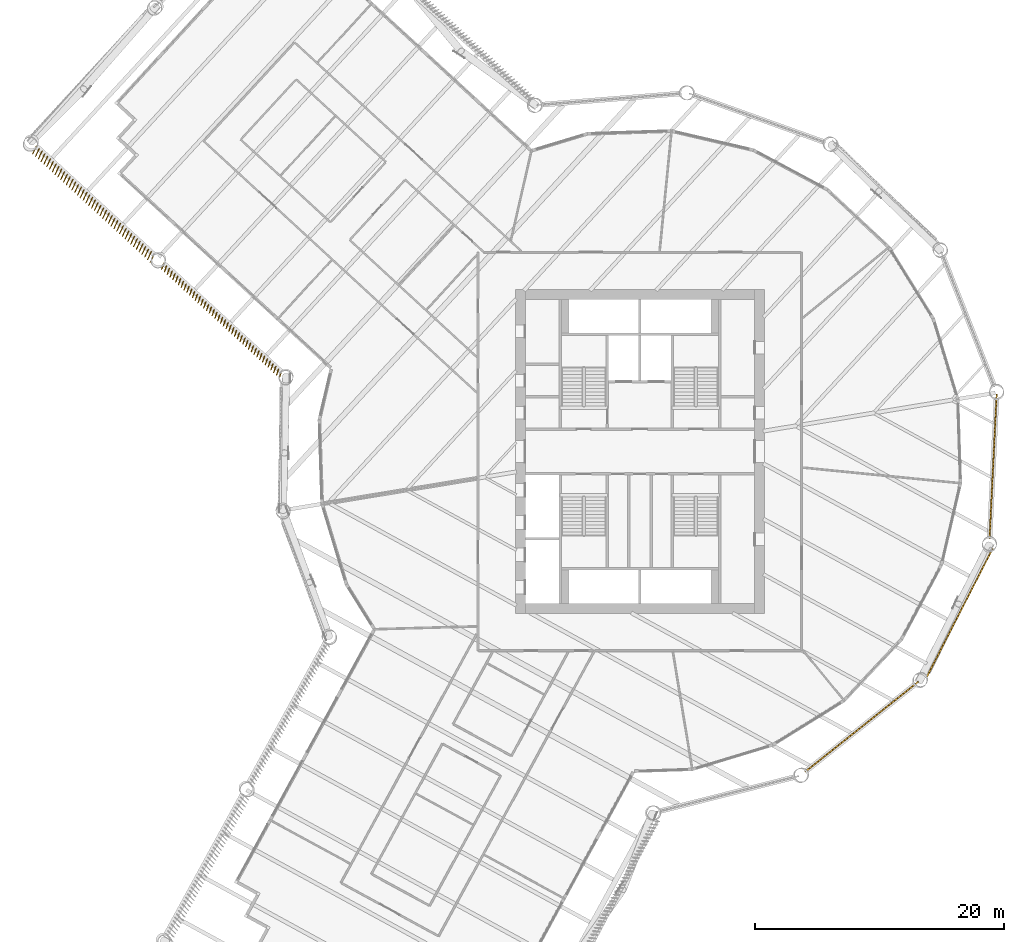
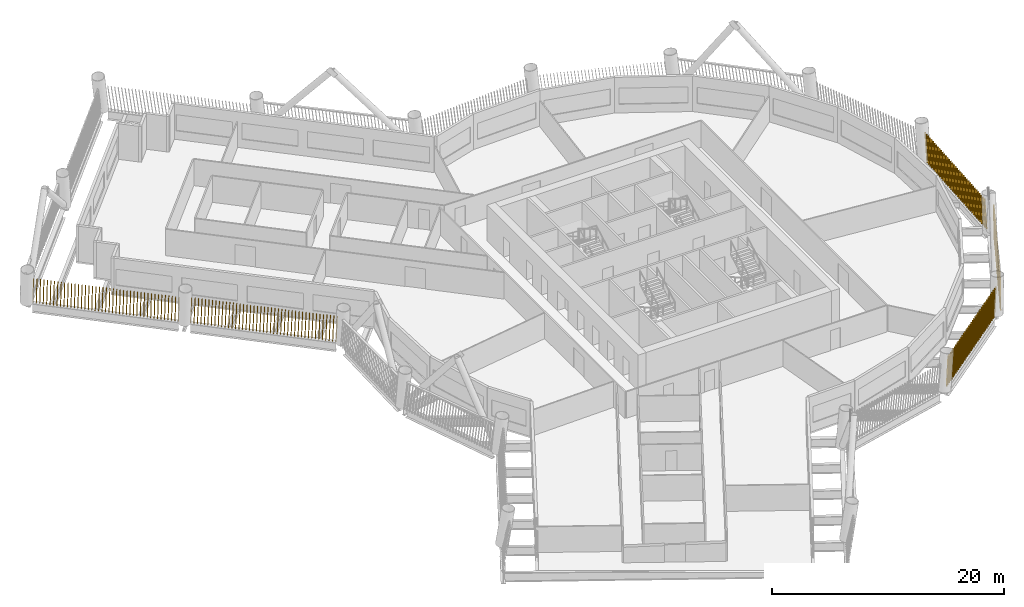
# One storey, part 21 of 24: 5 shading devices.
"""IFC4 building model written with IfcOpenShell, lengths in metres."""

from ifc_helpers import new_model, si_unit, direction, frame, frame_2d, origin, place, context, subcontext, project, spatial, rectangle, composite_profile, extrude, material, type_object, element, save


model = new_model("IFC4")

# Units and contexts
model_context = context("Model", 3, precision=1e-05, world=origin(), true_north=direction((0.0, 1.0)))
body_context = subcontext(model_context, "Body", "Model", "MODEL_VIEW")
ifc_project = project(units=[si_unit("LENGTHUNIT", "METRE"), si_unit("AREAUNIT", "SQUARE_METRE"), si_unit("VOLUMEUNIT", "CUBIC_METRE"), si_unit("PLANEANGLEUNIT", "RADIAN"), si_unit("MASSUNIT", "GRAM", prefix="KILO")], contexts=[model_context])

# Site, building, storey
site_placement = place(None, origin())
site = spatial("IfcSite", under=ifc_project, at=site_placement, CompositionType="ELEMENT")
building_placement = place(site_placement, origin())
building = spatial("IfcBuilding", under=site, at=building_placement, Name="Tarsis Ring Headquarters", CompositionType="ELEMENT")
storey_placement = place(building_placement, frame((0.0, 0.0, 92.800048828125)))
storey = spatial("IfcBuildingStorey", under=building, at=storey_placement, Name="L20", CompositionType="ELEMENT", Elevation=92.800048828125)

# Shading devices
ifc_material = material(Name="Terracotta baguette", Category="masonry")
shading_device_type = type_object("IfcShadingDeviceType", Name="Terracotta baguette screen", PredefinedType="USERDEFINED", material=ifc_material)
shading_device_1_placement = place(storey_placement, frame((13.276611328125, -25.722900390625, 0.0), z_axis=(0.0, 0.0, 1.0), x_axis=(0.782571893652, 0.622550189908, 0.0)))
element("IfcShadingDevice", 1, at=shading_device_1_placement, inside=storey, type_object=shading_device_type, Name="Baguette screen L20-08", ObjectType="Terracotta baguette screen", PredefinedType="USERDEFINED", context=body_context, shape_type="SweptSolid", body=[
    extrude(composite_profile([rectangle(XDim=0.06005859375, YDim=0.1201171875, at=frame_2d((0.030029296875, 0.0))), rectangle(XDim=0.06005859375, YDim=0.1201171875, at=frame_2d((0.33251953125, 0.0))), rectangle(XDim=0.06005859375, YDim=0.1201171875, at=frame_2d((0.634765625, 0.0))), rectangle(XDim=0.06005859375, YDim=0.1201171875, at=frame_2d((0.937255859375, 0.0))), rectangle(XDim=0.06005859375, YDim=0.1201171875, at=frame_2d((1.239501953125, 0.0))), rectangle(XDim=0.06005859375, YDim=0.1201171875, at=frame_2d((1.5419921875, 0.0))), rectangle(XDim=0.06005859375, YDim=0.1201171875, at=frame_2d((1.844482421875, 0.0))), rectangle(XDim=0.06005859375, YDim=0.1201171875, at=frame_2d((2.146728515625, 0.0))), rectangle(XDim=0.06005859375, YDim=0.1201171875, at=frame_2d((2.44921875, 0.0))), rectangle(XDim=0.06005859375, YDim=0.1201171875, at=frame_2d((2.751708984375, 0.0))), rectangle(XDim=0.06005859375, YDim=0.1201171875, at=frame_2d((3.053955078125, 0.0))), rectangle(XDim=0.06005859375, YDim=0.1201171875, at=frame_2d((3.3564453125, 0.0))), rectangle(XDim=0.06005859375, YDim=0.1201171875, at=frame_2d((3.65869140625, 0.0))), rectangle(XDim=0.06005859375, YDim=0.1201171875, at=frame_2d((3.961181640625, 0.0))), rectangle(XDim=0.06005859375, YDim=0.1201171875, at=frame_2d((4.263671875, 0.0))), rectangle(XDim=0.06005859375, YDim=0.1201171875, at=frame_2d((4.56591796875, 0.0))), rectangle(XDim=0.06005859375, YDim=0.1201171875, at=frame_2d((4.868408203125, 0.0))), rectangle(XDim=0.06005859375, YDim=0.1201171875, at=frame_2d((5.1708984375, 0.0))), rectangle(XDim=0.06005859375, YDim=0.1201171875, at=frame_2d((5.47314453125, 0.0))), rectangle(XDim=0.06005859375, YDim=0.1201171875, at=frame_2d((5.775634765625, 0.0))), rectangle(XDim=0.06005859375, YDim=0.1201171875, at=frame_2d((6.077880859375, 0.0))), rectangle(XDim=0.06005859375, YDim=0.1201171875, at=frame_2d((6.38037109375, 0.0))), rectangle(XDim=0.06005859375, YDim=0.1201171875, at=frame_2d((6.682861328125, 0.0))), rectangle(XDim=0.06005859375, YDim=0.1201171875, at=frame_2d((6.985107421875, 0.0))), rectangle(XDim=0.06005859375, YDim=0.1201171875, at=frame_2d((7.28759765625, 0.0))), rectangle(XDim=0.06005859375, YDim=0.1201171875, at=frame_2d((7.590087890625, 0.0))), rectangle(XDim=0.06005859375, YDim=0.1201171875, at=frame_2d((7.892333984375, 0.0))), rectangle(XDim=0.06005859375, YDim=0.1201171875, at=frame_2d((8.19482421875, 0.0))), rectangle(XDim=0.06005859375, YDim=0.1201171875, at=frame_2d((8.4970703125, 0.0))), rectangle(XDim=0.06005859375, YDim=0.1201171875, at=frame_2d((8.799560546875, 0.0))), rectangle(XDim=0.06005859375, YDim=0.1201171875, at=frame_2d((9.10205078125, 0.0))), rectangle(XDim=0.06005859375, YDim=0.1201171875, at=frame_2d((9.404296875, 0.0))), rectangle(XDim=0.06005859375, YDim=0.1201171875, at=frame_2d((9.706787109375, 0.0))), rectangle(XDim=0.06005859375, YDim=0.1201171875, at=frame_2d((10.00927734375, 0.0))), rectangle(XDim=0.06005859375, YDim=0.1201171875, at=frame_2d((10.3115234375, 0.0))), rectangle(XDim=0.06005859375, YDim=0.1201171875, at=frame_2d((10.614013671875, 0.0))), rectangle(XDim=0.06005859375, YDim=0.1201171875, at=frame_2d((10.916259765625, 0.0))), rectangle(XDim=0.06005859375, YDim=0.1201171875, at=frame_2d((11.21875, 0.0)))]), origin(), (0.129809449161, 0.000885532783, 0.991538563416), 2.977783203125),
])
shading_device_2_placement = place(storey_placement, frame((23.03271484375, -18.134765625, 0.0), z_axis=(0.0, 0.0, 1.0), x_axis=(0.456386326641, 0.889788388497, 0.0)))
element("IfcShadingDevice", 2, at=shading_device_2_placement, inside=storey, type_object=shading_device_type, Name="Baguette screen L20-09", ObjectType="Terracotta baguette screen", PredefinedType="USERDEFINED", context=body_context, shape_type="SweptSolid", body=[
    extrude(composite_profile([rectangle(XDim=0.06005859375, YDim=0.1201171875, at=frame_2d((0.030029296875, 0.0))), rectangle(XDim=0.06005859375, YDim=0.1201171875, at=frame_2d((0.33251953125, 0.0))), rectangle(XDim=0.06005859375, YDim=0.1201171875, at=frame_2d((0.634765625, 0.0))), rectangle(XDim=0.06005859375, YDim=0.1201171875, at=frame_2d((0.937255859375, 0.0))), rectangle(XDim=0.06005859375, YDim=0.1201171875, at=frame_2d((1.239501953125, 0.0))), rectangle(XDim=0.06005859375, YDim=0.1201171875, at=frame_2d((1.5419921875, 0.0))), rectangle(XDim=0.06005859375, YDim=0.1201171875, at=frame_2d((1.844482421875, 0.0))), rectangle(XDim=0.06005859375, YDim=0.1201171875, at=frame_2d((2.146728515625, 0.0))), rectangle(XDim=0.06005859375, YDim=0.1201171875, at=frame_2d((2.44921875, 0.0))), rectangle(XDim=0.06005859375, YDim=0.1201171875, at=frame_2d((2.751708984375, 0.0))), rectangle(XDim=0.06005859375, YDim=0.1201171875, at=frame_2d((3.053955078125, 0.0))), rectangle(XDim=0.06005859375, YDim=0.1201171875, at=frame_2d((3.3564453125, 0.0))), rectangle(XDim=0.06005859375, YDim=0.1201171875, at=frame_2d((3.65869140625, 0.0))), rectangle(XDim=0.06005859375, YDim=0.1201171875, at=frame_2d((3.961181640625, 0.0))), rectangle(XDim=0.06005859375, YDim=0.1201171875, at=frame_2d((4.263671875, 0.0))), rectangle(XDim=0.06005859375, YDim=0.1201171875, at=frame_2d((4.56591796875, 0.0))), rectangle(XDim=0.06005859375, YDim=0.1201171875, at=frame_2d((4.868408203125, 0.0))), rectangle(XDim=0.06005859375, YDim=0.1201171875, at=frame_2d((5.1708984375, 0.0))), rectangle(XDim=0.06005859375, YDim=0.1201171875, at=frame_2d((5.47314453125, 0.0))), rectangle(XDim=0.06005859375, YDim=0.1201171875, at=frame_2d((5.775634765625, 0.0))), rectangle(XDim=0.06005859375, YDim=0.1201171875, at=frame_2d((6.077880859375, 0.0))), rectangle(XDim=0.06005859375, YDim=0.1201171875, at=frame_2d((6.38037109375, 0.0))), rectangle(XDim=0.06005859375, YDim=0.1201171875, at=frame_2d((6.682861328125, 0.0))), rectangle(XDim=0.06005859375, YDim=0.1201171875, at=frame_2d((6.985107421875, 0.0))), rectangle(XDim=0.06005859375, YDim=0.1201171875, at=frame_2d((7.28759765625, 0.0))), rectangle(XDim=0.06005859375, YDim=0.1201171875, at=frame_2d((7.590087890625, 0.0))), rectangle(XDim=0.06005859375, YDim=0.1201171875, at=frame_2d((7.892333984375, 0.0))), rectangle(XDim=0.06005859375, YDim=0.1201171875, at=frame_2d((8.19482421875, 0.0))), rectangle(XDim=0.06005859375, YDim=0.1201171875, at=frame_2d((8.4970703125, 0.0))), rectangle(XDim=0.06005859375, YDim=0.1201171875, at=frame_2d((8.799560546875, 0.0))), rectangle(XDim=0.06005859375, YDim=0.1201171875, at=frame_2d((9.10205078125, 0.0))), rectangle(XDim=0.06005859375, YDim=0.1201171875, at=frame_2d((9.404296875, 0.0))), rectangle(XDim=0.06005859375, YDim=0.1201171875, at=frame_2d((9.706787109375, 0.0))), rectangle(XDim=0.06005859375, YDim=0.1201171875, at=frame_2d((10.00927734375, 0.0))), rectangle(XDim=0.06005859375, YDim=0.1201171875, at=frame_2d((10.3115234375, 0.0))), rectangle(XDim=0.06005859375, YDim=0.1201171875, at=frame_2d((10.614013671875, 0.0))), rectangle(XDim=0.06005859375, YDim=0.1201171875, at=frame_2d((10.916259765625, 0.0))), rectangle(XDim=0.06005859375, YDim=0.1201171875, at=frame_2d((11.21875, 0.0)))]), origin(), (0.13149563743, 0.000895817012, 0.991316344488), 2.978515625),
])
shading_device_3_placement = place(storey_placement, frame((28.08544921875, -7.01025390625, 0.0), z_axis=(0.0, 0.0, 1.0), x_axis=(0.049051525806, 0.998806268177, 0.0)))
element("IfcShadingDevice", 3, at=shading_device_3_placement, inside=storey, type_object=shading_device_type, Name="Baguette screen L20-10", ObjectType="Terracotta baguette screen", PredefinedType="USERDEFINED", context=body_context, shape_type="SweptSolid", body=[
    extrude(composite_profile([rectangle(XDim=0.06005859375, YDim=0.1201171875, at=frame_2d((0.030029296875, 0.0))), rectangle(XDim=0.06005859375, YDim=0.1201171875, at=frame_2d((0.33251953125, 0.0))), rectangle(XDim=0.06005859375, YDim=0.1201171875, at=frame_2d((0.634765625, 0.0))), rectangle(XDim=0.06005859375, YDim=0.1201171875, at=frame_2d((0.937255859375, 0.0))), rectangle(XDim=0.06005859375, YDim=0.1201171875, at=frame_2d((1.239501953125, 0.0))), rectangle(XDim=0.06005859375, YDim=0.1201171875, at=frame_2d((1.5419921875, 0.0))), rectangle(XDim=0.06005859375, YDim=0.1201171875, at=frame_2d((1.844482421875, 0.0))), rectangle(XDim=0.06005859375, YDim=0.1201171875, at=frame_2d((2.146728515625, 0.0))), rectangle(XDim=0.06005859375, YDim=0.1201171875, at=frame_2d((2.44921875, 0.0))), rectangle(XDim=0.06005859375, YDim=0.1201171875, at=frame_2d((2.751708984375, 0.0))), rectangle(XDim=0.06005859375, YDim=0.1201171875, at=frame_2d((3.053955078125, 0.0))), rectangle(XDim=0.06005859375, YDim=0.1201171875, at=frame_2d((3.3564453125, 0.0))), rectangle(XDim=0.06005859375, YDim=0.1201171875, at=frame_2d((3.65869140625, 0.0))), rectangle(XDim=0.06005859375, YDim=0.1201171875, at=frame_2d((3.961181640625, 0.0))), rectangle(XDim=0.06005859375, YDim=0.1201171875, at=frame_2d((4.263671875, 0.0))), rectangle(XDim=0.06005859375, YDim=0.1201171875, at=frame_2d((4.56591796875, 0.0))), rectangle(XDim=0.06005859375, YDim=0.1201171875, at=frame_2d((4.868408203125, 0.0))), rectangle(XDim=0.06005859375, YDim=0.1201171875, at=frame_2d((5.1708984375, 0.0))), rectangle(XDim=0.06005859375, YDim=0.1201171875, at=frame_2d((5.47314453125, 0.0))), rectangle(XDim=0.06005859375, YDim=0.1201171875, at=frame_2d((5.775634765625, 0.0))), rectangle(XDim=0.06005859375, YDim=0.1201171875, at=frame_2d((6.077880859375, 0.0))), rectangle(XDim=0.06005859375, YDim=0.1201171875, at=frame_2d((6.38037109375, 0.0))), rectangle(XDim=0.06005859375, YDim=0.1201171875, at=frame_2d((6.682861328125, 0.0))), rectangle(XDim=0.06005859375, YDim=0.1201171875, at=frame_2d((6.985107421875, 0.0))), rectangle(XDim=0.06005859375, YDim=0.1201171875, at=frame_2d((7.28759765625, 0.0))), rectangle(XDim=0.06005859375, YDim=0.1201171875, at=frame_2d((7.590087890625, 0.0))), rectangle(XDim=0.06005859375, YDim=0.1201171875, at=frame_2d((7.892333984375, 0.0))), rectangle(XDim=0.06005859375, YDim=0.1201171875, at=frame_2d((8.19482421875, 0.0))), rectangle(XDim=0.06005859375, YDim=0.1201171875, at=frame_2d((8.4970703125, 0.0))), rectangle(XDim=0.06005859375, YDim=0.1201171875, at=frame_2d((8.799560546875, 0.0))), rectangle(XDim=0.06005859375, YDim=0.1201171875, at=frame_2d((9.10205078125, 0.0))), rectangle(XDim=0.06005859375, YDim=0.1201171875, at=frame_2d((9.404296875, 0.0))), rectangle(XDim=0.06005859375, YDim=0.1201171875, at=frame_2d((9.706787109375, 0.0))), rectangle(XDim=0.06005859375, YDim=0.1201171875, at=frame_2d((10.00927734375, 0.0))), rectangle(XDim=0.06005859375, YDim=0.1201171875, at=frame_2d((10.3115234375, 0.0))), rectangle(XDim=0.06005859375, YDim=0.1201171875, at=frame_2d((10.614013671875, 0.0))), rectangle(XDim=0.06005859375, YDim=0.1201171875, at=frame_2d((10.916259765625, 0.0))), rectangle(XDim=0.06005859375, YDim=0.1201171875, at=frame_2d((11.21875, 0.0)))]), origin(), (0.129811462866, 0.000884209043, 0.991538300966), 2.977783203125),
])
shading_device_4_placement = place(storey_placement, frame((-48.49853515625, 24.540283203125, 0.0), z_axis=(0.0, 0.0, 1.0), x_axis=(0.73561913412, -0.6773955495, 0.0)))
element("IfcShadingDevice", 4, at=shading_device_4_placement, inside=storey, type_object=shading_device_type, Name="Baguette screen L20-19", ObjectType="Terracotta baguette screen", PredefinedType="USERDEFINED", context=body_context, shape_type="SweptSolid", body=[
    extrude(composite_profile([rectangle(XDim=0.06005859375, YDim=0.1201171875, at=frame_2d((0.030029296875, 0.0))), rectangle(XDim=0.06005859375, YDim=0.1201171875, at=frame_2d((0.335693359375, 0.0))), rectangle(XDim=0.06005859375, YDim=0.1201171875, at=frame_2d((0.6416015625, 0.0))), rectangle(XDim=0.06005859375, YDim=0.1201171875, at=frame_2d((0.947265625, 0.0))), rectangle(XDim=0.06005859375, YDim=0.1201171875, at=frame_2d((1.253173828125, 0.0))), rectangle(XDim=0.06005859375, YDim=0.1201171875, at=frame_2d((1.558837890625, 0.0))), rectangle(XDim=0.06005859375, YDim=0.1201171875, at=frame_2d((1.864501953125, 0.0))), rectangle(XDim=0.06005859375, YDim=0.1201171875, at=frame_2d((2.17041015625, 0.0))), rectangle(XDim=0.06005859375, YDim=0.1201171875, at=frame_2d((2.47607421875, 0.0))), rectangle(XDim=0.06005859375, YDim=0.1201171875, at=frame_2d((2.781982421875, 0.0))), rectangle(XDim=0.06005859375, YDim=0.1201171875, at=frame_2d((3.087646484375, 0.0))), rectangle(XDim=0.06005859375, YDim=0.1201171875, at=frame_2d((3.393310546875, 0.0))), rectangle(XDim=0.06005859375, YDim=0.1201171875, at=frame_2d((3.69921875, 0.0))), rectangle(XDim=0.06005859375, YDim=0.1201171875, at=frame_2d((4.0048828125, 0.0))), rectangle(XDim=0.06005859375, YDim=0.1201171875, at=frame_2d((4.310791015625, 0.0))), rectangle(XDim=0.06005859375, YDim=0.1201171875, at=frame_2d((4.616455078125, 0.0))), rectangle(XDim=0.06005859375, YDim=0.1201171875, at=frame_2d((4.922119140625, 0.0))), rectangle(XDim=0.06005859375, YDim=0.1201171875, at=frame_2d((5.22802734375, 0.0))), rectangle(XDim=0.06005859375, YDim=0.1201171875, at=frame_2d((5.53369140625, 0.0))), rectangle(XDim=0.06005859375, YDim=0.1201171875, at=frame_2d((5.839599609375, 0.0))), rectangle(XDim=0.06005859375, YDim=0.1201171875, at=frame_2d((6.145263671875, 0.0))), rectangle(XDim=0.06005859375, YDim=0.1201171875, at=frame_2d((6.451171875, 0.0))), rectangle(XDim=0.06005859375, YDim=0.1201171875, at=frame_2d((6.7568359375, 0.0))), rectangle(XDim=0.06005859375, YDim=0.1201171875, at=frame_2d((7.0625, 0.0))), rectangle(XDim=0.06005859375, YDim=0.1201171875, at=frame_2d((7.368408203125, 0.0))), rectangle(XDim=0.06005859375, YDim=0.1201171875, at=frame_2d((7.674072265625, 0.0))), rectangle(XDim=0.06005859375, YDim=0.1201171875, at=frame_2d((7.97998046875, 0.0))), rectangle(XDim=0.06005859375, YDim=0.1201171875, at=frame_2d((8.28564453125, 0.0))), rectangle(XDim=0.06005859375, YDim=0.1201171875, at=frame_2d((8.59130859375, 0.0))), rectangle(XDim=0.06005859375, YDim=0.1201171875, at=frame_2d((8.897216796875, 0.0))), rectangle(XDim=0.06005859375, YDim=0.1201171875, at=frame_2d((9.202880859375, 0.0))), rectangle(XDim=0.06005859375, YDim=0.1201171875, at=frame_2d((9.5087890625, 0.0))), rectangle(XDim=0.06005859375, YDim=0.1201171875, at=frame_2d((9.814453125, 0.0))), rectangle(XDim=0.06005859375, YDim=0.1201171875, at=frame_2d((10.1201171875, 0.0))), rectangle(XDim=0.06005859375, YDim=0.1201171875, at=frame_2d((10.426025390625, 0.0))), rectangle(XDim=0.06005859375, YDim=0.1201171875, at=frame_2d((10.731689453125, 0.0))), rectangle(XDim=0.06005859375, YDim=0.1201171875, at=frame_2d((11.03759765625, 0.0))), rectangle(XDim=0.06005859375, YDim=0.1201171875, at=frame_2d((11.34326171875, 0.0))), rectangle(XDim=0.06005859375, YDim=0.1201171875, at=frame_2d((11.64892578125, 0.0))), rectangle(XDim=0.06005859375, YDim=0.1201171875, at=frame_2d((11.954833984375, 0.0))), rectangle(XDim=0.06005859375, YDim=0.1201171875, at=frame_2d((12.260498046875, 0.0))), rectangle(XDim=0.06005859375, YDim=0.1201171875, at=frame_2d((12.56640625, 0.0))), rectangle(XDim=0.06005859375, YDim=0.1201171875, at=frame_2d((12.8720703125, 0.0)))]), origin(), (0.068018191423, -0.205902734099, 0.976205710763), 3.024658203125),
])
shading_device_5_placement = place(storey_placement, frame((-38.271728515625, 15.123046875, 0.0), z_axis=(0.0, 0.0, 1.0), x_axis=(0.73561913412, -0.6773955495, 0.0)))
element("IfcShadingDevice", 5, at=shading_device_5_placement, inside=storey, type_object=shading_device_type, Name="Baguette screen L20-20", ObjectType="Terracotta baguette screen", PredefinedType="USERDEFINED", context=body_context, shape_type="SweptSolid", body=[
    extrude(composite_profile([rectangle(XDim=0.06005859375, YDim=0.1201171875, at=frame_2d((0.030029296875, 0.0))), rectangle(XDim=0.06005859375, YDim=0.1201171875, at=frame_2d((0.335693359375, 0.0))), rectangle(XDim=0.06005859375, YDim=0.1201171875, at=frame_2d((0.6416015625, 0.0))), rectangle(XDim=0.06005859375, YDim=0.1201171875, at=frame_2d((0.947265625, 0.0))), rectangle(XDim=0.06005859375, YDim=0.1201171875, at=frame_2d((1.253173828125, 0.0))), rectangle(XDim=0.06005859375, YDim=0.1201171875, at=frame_2d((1.558837890625, 0.0))), rectangle(XDim=0.06005859375, YDim=0.1201171875, at=frame_2d((1.864501953125, 0.0))), rectangle(XDim=0.06005859375, YDim=0.1201171875, at=frame_2d((2.17041015625, 0.0))), rectangle(XDim=0.06005859375, YDim=0.1201171875, at=frame_2d((2.47607421875, 0.0))), rectangle(XDim=0.06005859375, YDim=0.1201171875, at=frame_2d((2.781982421875, 0.0))), rectangle(XDim=0.06005859375, YDim=0.1201171875, at=frame_2d((3.087646484375, 0.0))), rectangle(XDim=0.06005859375, YDim=0.1201171875, at=frame_2d((3.393310546875, 0.0))), rectangle(XDim=0.06005859375, YDim=0.1201171875, at=frame_2d((3.69921875, 0.0))), rectangle(XDim=0.06005859375, YDim=0.1201171875, at=frame_2d((4.0048828125, 0.0))), rectangle(XDim=0.06005859375, YDim=0.1201171875, at=frame_2d((4.310791015625, 0.0))), rectangle(XDim=0.06005859375, YDim=0.1201171875, at=frame_2d((4.616455078125, 0.0))), rectangle(XDim=0.06005859375, YDim=0.1201171875, at=frame_2d((4.922119140625, 0.0))), rectangle(XDim=0.06005859375, YDim=0.1201171875, at=frame_2d((5.22802734375, 0.0))), rectangle(XDim=0.06005859375, YDim=0.1201171875, at=frame_2d((5.53369140625, 0.0))), rectangle(XDim=0.06005859375, YDim=0.1201171875, at=frame_2d((5.839599609375, 0.0))), rectangle(XDim=0.06005859375, YDim=0.1201171875, at=frame_2d((6.145263671875, 0.0))), rectangle(XDim=0.06005859375, YDim=0.1201171875, at=frame_2d((6.451171875, 0.0))), rectangle(XDim=0.06005859375, YDim=0.1201171875, at=frame_2d((6.7568359375, 0.0))), rectangle(XDim=0.06005859375, YDim=0.1201171875, at=frame_2d((7.0625, 0.0))), rectangle(XDim=0.06005859375, YDim=0.1201171875, at=frame_2d((7.368408203125, 0.0))), rectangle(XDim=0.06005859375, YDim=0.1201171875, at=frame_2d((7.674072265625, 0.0))), rectangle(XDim=0.06005859375, YDim=0.1201171875, at=frame_2d((7.97998046875, 0.0))), rectangle(XDim=0.06005859375, YDim=0.1201171875, at=frame_2d((8.28564453125, 0.0))), rectangle(XDim=0.06005859375, YDim=0.1201171875, at=frame_2d((8.59130859375, 0.0))), rectangle(XDim=0.06005859375, YDim=0.1201171875, at=frame_2d((8.897216796875, 0.0))), rectangle(XDim=0.06005859375, YDim=0.1201171875, at=frame_2d((9.202880859375, 0.0))), rectangle(XDim=0.06005859375, YDim=0.1201171875, at=frame_2d((9.5087890625, 0.0))), rectangle(XDim=0.06005859375, YDim=0.1201171875, at=frame_2d((9.814453125, 0.0))), rectangle(XDim=0.06005859375, YDim=0.1201171875, at=frame_2d((10.1201171875, 0.0))), rectangle(XDim=0.06005859375, YDim=0.1201171875, at=frame_2d((10.426025390625, 0.0))), rectangle(XDim=0.06005859375, YDim=0.1201171875, at=frame_2d((10.731689453125, 0.0))), rectangle(XDim=0.06005859375, YDim=0.1201171875, at=frame_2d((11.03759765625, 0.0))), rectangle(XDim=0.06005859375, YDim=0.1201171875, at=frame_2d((11.34326171875, 0.0))), rectangle(XDim=0.06005859375, YDim=0.1201171875, at=frame_2d((11.64892578125, 0.0))), rectangle(XDim=0.06005859375, YDim=0.1201171875, at=frame_2d((11.954833984375, 0.0))), rectangle(XDim=0.06005859375, YDim=0.1201171875, at=frame_2d((12.260498046875, 0.0))), rectangle(XDim=0.06005859375, YDim=0.1201171875, at=frame_2d((12.56640625, 0.0))), rectangle(XDim=0.06005859375, YDim=0.1201171875, at=frame_2d((12.8720703125, 0.0)))]), origin(), (0.068344490408, -0.14492807727, 0.987078964951), 2.9912109375),
])

save(model, "model.ifc")
